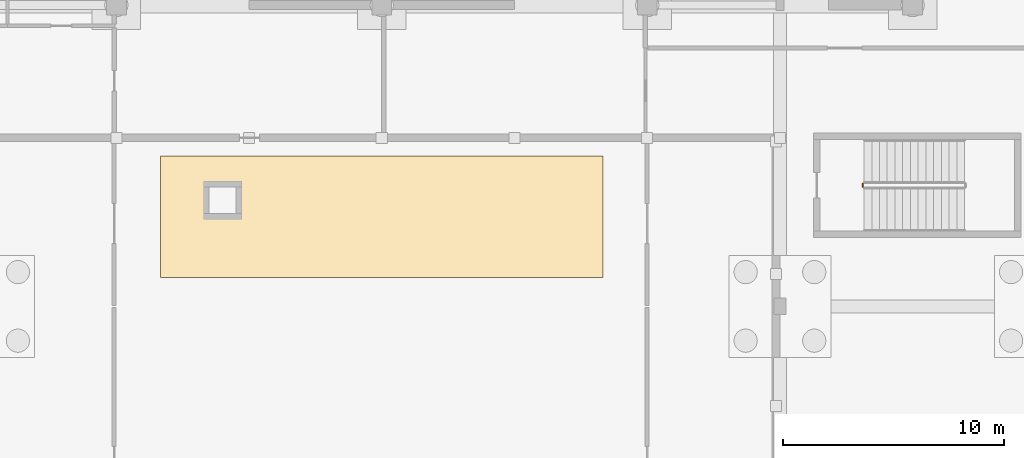
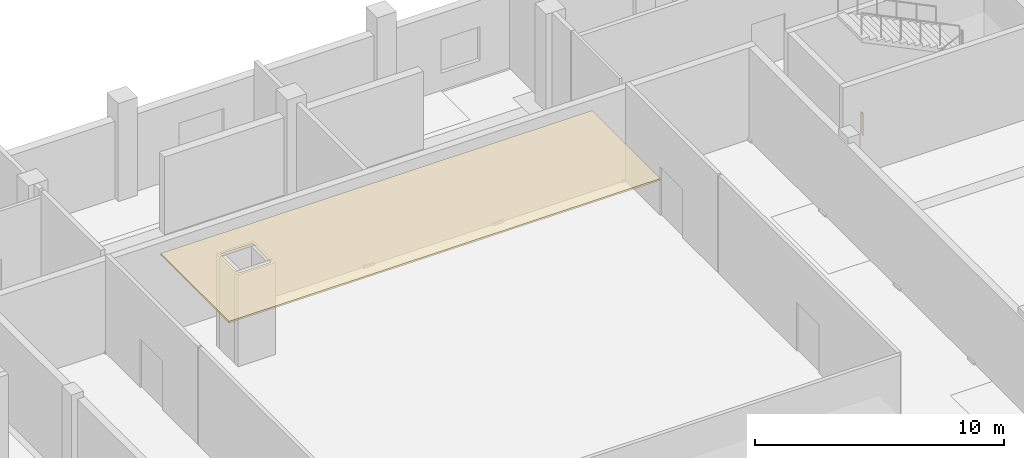
# One storey, part 75 of 82: 1 covering, 1 railing.
"""IFC4 building model written with IfcOpenShell, lengths in metres."""

from ifc_helpers import new_model, si_unit, direction, frame, origin, origin_2d, place, context, subcontext, project, spatial, polyline, circle, outline, extrude, material, layer, layer_set, type_object, element, save


model = new_model("IFC4")

# Units and contexts
model_context = context("Model", 3, precision=1e-05, world=origin(), true_north=direction((0.0, 1.0)))
body_context = subcontext(model_context, "Body", "Model", "MODEL_VIEW")
ifc_project = project(units=[si_unit("LENGTHUNIT", "METRE"), si_unit("AREAUNIT", "SQUARE_METRE"), si_unit("VOLUMEUNIT", "CUBIC_METRE"), si_unit("PLANEANGLEUNIT", "RADIAN"), si_unit("MASSUNIT", "GRAM", prefix="KILO")], contexts=[model_context])

# Site, building, storey
site_placement = place(None, origin())
site = spatial("IfcSite", under=ifc_project, at=site_placement, CompositionType="ELEMENT")
building_placement = place(site_placement, origin())
building = spatial("IfcBuilding", under=site, at=building_placement, Name="Kelmvaro Bay Concert Hall", CompositionType="ELEMENT")
storey_placement = place(building_placement, origin())
storey = spatial("IfcBuildingStorey", under=building, at=storey_placement, Name="L00", CompositionType="ELEMENT", Elevation=0.0)

# Covering
ifc_material_1 = material(Name="Curved Laminated Rock Maple Acoustic Panel")
ifc_layer = layer(ifc_material_1, 0.0849609375)
ifc_layer_set = layer_set([ifc_layer], Name="Curved Laminated Rock Maple Acoustic Panel")
covering_type = type_object("IfcCoveringType", Name="Curved Maple Acoustic Reflector Cloud Ceiling 85", PredefinedType="CEILING", material=ifc_layer_set)
covering_placement = place(storey_placement, frame((0.0, 0.0, 4.4150390625)))
element("IfcCovering", 1, at=covering_placement, inside=storey, type_object=covering_type, Name="L00 Acoustic Ceiling 02", PredefinedType="CEILING", context=body_context, shape_type="SweptSolid", body=[
    extrude(outline(polyline([(20.0, 98.5), (20.0, 104.0), (40.0, 104.0), (40.0, 98.5), (20.0, 98.5)]), holes=[polyline([(23.550048828125, 102.75), (22.050048828125, 102.75), (22.050048828125, 101.25), (23.550048828125, 101.25), (23.550048828125, 102.75)])]), origin(), (0.0, 0.0, 1.0), 0.0849609375),
])

# Railing
ifc_material_2 = material(Name="Powder-Coated Steel ASTM A500", Category="steel")
railing_type = type_object("IfcRailingType", Name="Stair Well Painted Steel Guard 1100", PredefinedType="BALUSTRADE", material=ifc_material_2)
railing_placement = place(storey_placement, frame((51.75, 102.60009765625, 0.0)))
element("IfcRailing", 2, at=railing_placement, inside=storey, type_object=railing_type, Name="L00 ST-02 stair guard 4", PredefinedType="BALUSTRADE", context=body_context, shape_type="SweptSolid", body=[
    extrude(circle(Radius=0.02392578125, at=origin_2d()), frame((0.0, 0.0, 1.076171875), z_axis=(0.0, 1.0, 0.0), x_axis=(-1.0, 0.0, 0.0)), (0.0, 0.0, 1.0), 0.14990234375),
    extrude(circle(Radius=0.02099609375, at=origin_2d()), origin(), (0.0, 0.0, 1.0), 1.052001953125),
    extrude(circle(Radius=0.02099609375, at=origin_2d()), frame((0.0, 0.14990234375, 0.0)), (0.0, 0.0, 1.0), 1.052001953125),
])

save(model, "model.ifc")
